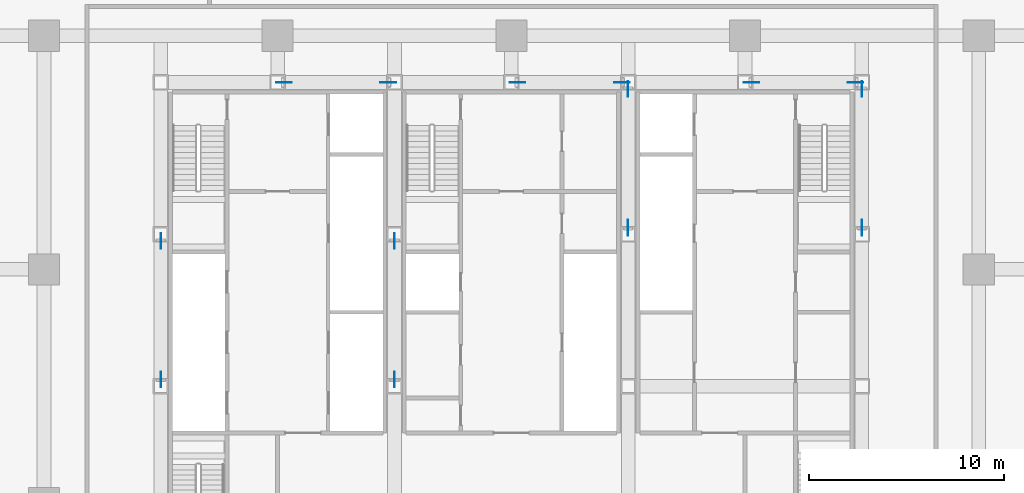
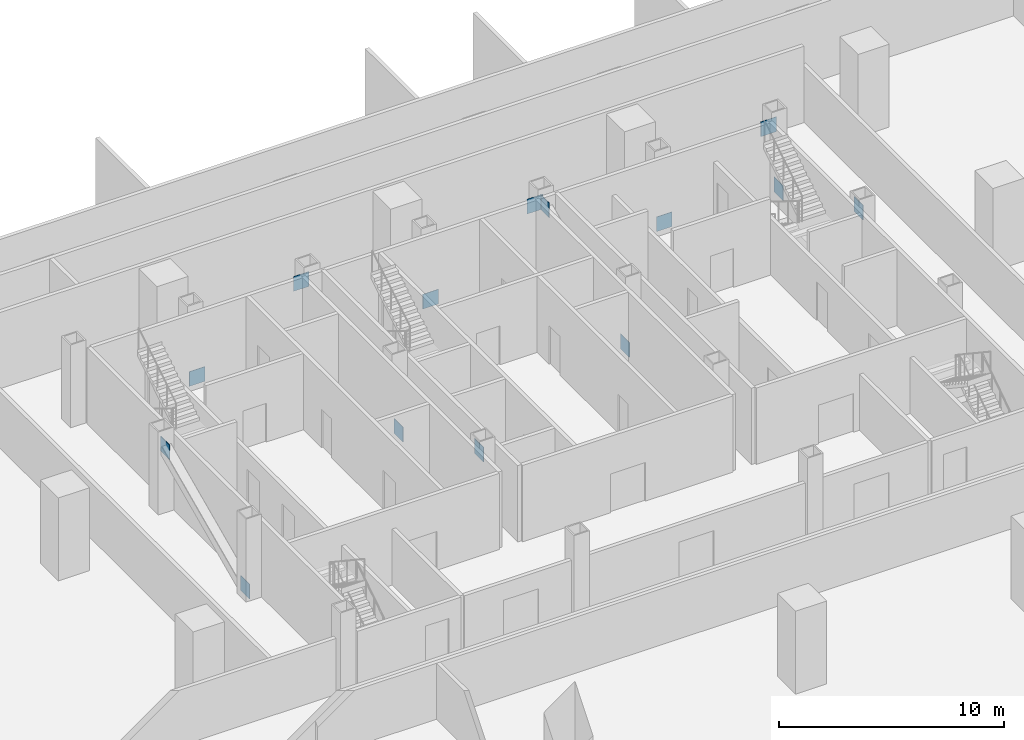
# One storey, part 12 of 15: 14 discrete accessories.
"""IFC4 building model written with IfcOpenShell, lengths in metres."""

from ifc_helpers import new_model, si_unit, direction, frame, origin, origin_2d, place, context, subcontext, project, spatial, rectangle, extrude, material, layer, layer_set, type_object, element, save


model = new_model("IFC4")

# Units and contexts
model_context = context("Model", 3, precision=1e-05, world=origin(), true_north=direction((0.0, 1.0)))
body_context = subcontext(model_context, "Body", "Model", "MODEL_VIEW")
ifc_project = project(units=[si_unit("LENGTHUNIT", "METRE"), si_unit("AREAUNIT", "SQUARE_METRE"), si_unit("VOLUMEUNIT", "CUBIC_METRE"), si_unit("PLANEANGLEUNIT", "RADIAN"), si_unit("MASSUNIT", "GRAM", prefix="KILO")], contexts=[model_context])

# Site, building, storey
site_placement = place(None, origin())
site = spatial("IfcSite", under=ifc_project, at=site_placement, CompositionType="ELEMENT")
building_placement = place(site_placement, origin())
building = spatial("IfcBuilding", under=site, at=building_placement, Name="Sorahane Residences", CompositionType="ELEMENT")
storey_placement = place(building_placement, frame((0.0, 0.0, -9.0)))
storey = spatial("IfcBuildingStorey", under=building, at=storey_placement, Name="B2", CompositionType="ELEMENT", Elevation=-9.0)

# Discrete accessories
ifc_material = material(Name="Steel Q355B", Category="steel")
ifc_layer = layer(ifc_material, 0.02490234375)
ifc_layer_set = layer_set([ifc_layer], Name="Node plate Steel Q355B 25")
discrete_accessory_type = type_object("IfcDiscreteAccessoryType", Name="Node plate Steel Q355B 25", PredefinedType="BRACKET", material=ifc_layer_set)
for number, where, z_axis, x_axis, name in (
    (1, (6.0, 30.337890625, -0.17822265625), (0.0, 0.0, 1.0), (0.0, 1.0, 0.0), "Node plate B2 br"),
    (2, (6.0, 37.462158203125, 3.068359375), (0.0, 0.0, 1.0), (0.0, 1.0, 0.0), "Node plate B2 br"),
    (3, (18.0, 37.462158203125, -0.17822265625), (0.0, 0.0, 1.0), (0.0, 1.0, 0.0), "Node plate B2 br"),
    (4, (18.0, 30.337890625, 3.068359375), (0.0, 0.0, 1.0), (0.0, 1.0, 0.0), "Node plate B2 br"),
    (5, (30.0, 38.1376953125, -0.17822265625), (0.0, 0.0, 1.0), (0.0, 1.0, 0.0), "Node plate B2 br"),
    (6, (30.0, 45.26220703125, 3.068359375), (0.0, 0.0, 1.0), (0.0, 1.0, 0.0), "Node plate B2 br"),
    (7, (42.0, 45.26220703125, -0.17822265625), (0.0, 0.0, 1.0), (0.0, 1.0, 0.0), "Node plate B2 br"),
    (8, (42.0, 38.1376953125, 3.068359375), (0.0, 0.0, 1.0), (0.0, 1.0, 0.0), "Node plate B2 br"),
    (9, (12.321533203125, 45.60009765625, -0.1982421875), (0.0, 0.0, 1.0), (1.0, 0.0, 0.0), "Node plate B2 br"),
    (10, (24.321533203125, 45.60009765625, -0.1982421875), (0.0, 0.0, 1.0), (1.0, 0.0, 0.0), "Node plate B2 br"),
    (11, (36.321533203125, 45.60009765625, -0.1982421875), (0.0, 0.0, 1.0), (1.0, 0.0, 0.0), "Node plate B2 br"),
    (12, (17.678466796875, 45.60009765625, 3.087890625), (0.0, 0.0, 1.0), (1.0, 0.0, 0.0), "Node plate B2 br"),
    (13, (29.678466796875, 45.60009765625, 3.087890625), (0.0, 0.0, 1.0), (1.0, 0.0, 0.0), "Node plate B2 br"),
    (14, (41.678466796875, 45.60009765625, 3.087890625), (0.0, 0.0, 1.0), (1.0, 0.0, 0.0), "Node plate B2 br"),
):
    element("IfcDiscreteAccessory", number, at=place(storey_placement, frame(where, z_axis=z_axis, x_axis=x_axis)), inside=storey, type_object=discrete_accessory_type, Name=name, PredefinedType="BRACKET", context=body_context, shape_type="SweptSolid", body=[
        extrude(rectangle(XDim=0.800048828125, YDim=0.02490234375, at=origin_2d()), origin(), (0.0, 0.0, 1.0), 0.800048828125),
    ])

save(model, "model.ifc")
